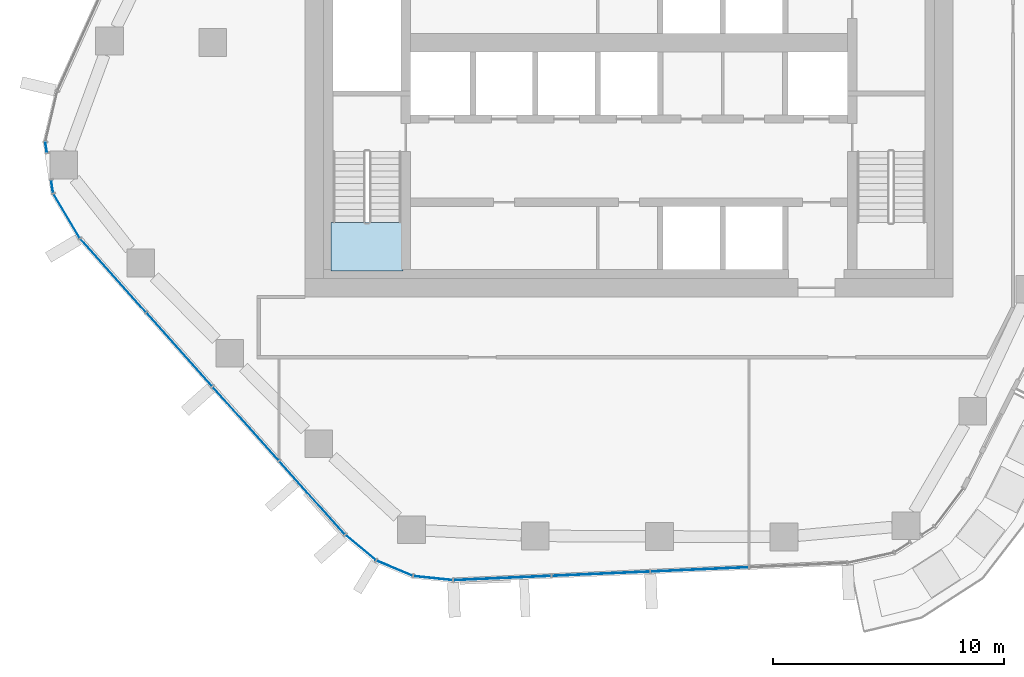
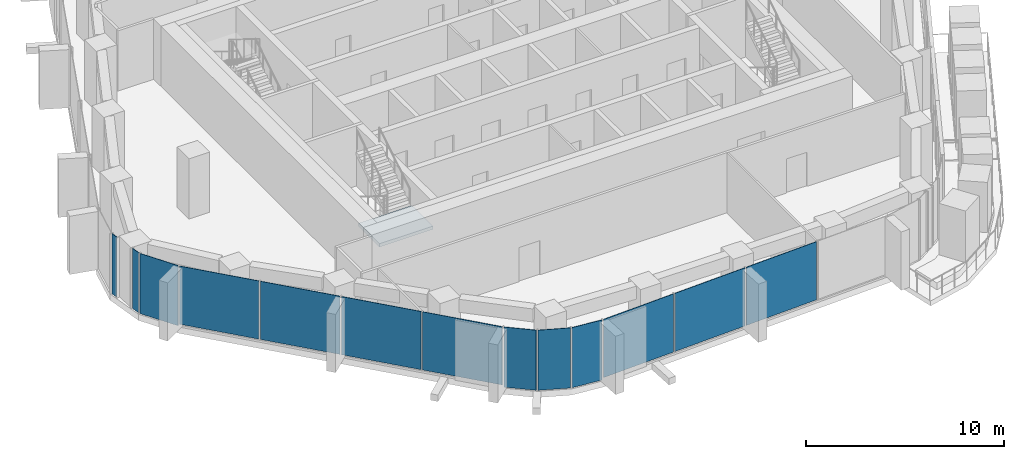
# One storey, part 7 of 17: 13 plates, 1 slab, 6 elements without a shape of their own.
"""IFC4 building model written with IfcOpenShell, lengths in metres."""

from ifc_helpers import new_model, si_unit, direction, frame, origin, origin_2d, place, context, subcontext, project, spatial, polyline, rectangle, outline, extrude, material, layer, layer_set, type_object, element, aggregate, save


model = new_model("IFC4")

# Units and contexts
model_context = context("Model", 3, precision=1e-05, world=origin(), true_north=direction((0.0, 1.0)))
body_context = subcontext(model_context, "Body", "Model", "MODEL_VIEW")
ifc_project = project(units=[si_unit("LENGTHUNIT", "METRE"), si_unit("AREAUNIT", "SQUARE_METRE"), si_unit("VOLUMEUNIT", "CUBIC_METRE"), si_unit("PLANEANGLEUNIT", "RADIAN"), si_unit("MASSUNIT", "GRAM", prefix="KILO")], contexts=[model_context])

# Site, building, storey
site_placement = place(None, origin())
site = spatial("IfcSite", under=ifc_project, at=site_placement, CompositionType="ELEMENT")
building_placement = place(site_placement, origin())
building = spatial("IfcBuilding", under=site, at=building_placement, Name="Dongbaek Canopy Tower", CompositionType="ELEMENT")
storey_placement = place(building_placement, frame((0.0, 0.0, 179.60009765625)))
storey = spatial("IfcBuildingStorey", under=building, at=storey_placement, Name="L39", CompositionType="ELEMENT", Elevation=179.60009765625)

# Curtain wall, plate
ifc_material_1 = material(Name="Aluminium 6063-T6 pale anodised", Category="aluminium")
ifc_layer_1 = layer(ifc_material_1, 0.199951171875)
ifc_layer_set_1 = layer_set([ifc_layer_1], Name="CW-1 unitised tower curtain wall")
curtain_wall_type = type_object("IfcCurtainWallType", Name="CW-1 unitised tower curtain wall", PredefinedType="NOTDEFINED", material=ifc_layer_set_1)
curtain_wall_1_placement = place(storey_placement, origin())
curtain_wall_1 = element("IfcCurtainWall", 1, at=curtain_wall_1_placement, inside=storey, type_object=curtain_wall_type, Name="CW-1 curtain wall K3.1a", PredefinedType="NOTDEFINED")
ifc_material_2 = material(Name="Clear laminated glass", Category="glass")
ifc_layer_2 = layer(ifc_material_2, 0.028076171875)
ifc_layer_set_2 = layer_set([ifc_layer_2], Name="CW-1 glazed panel 28")
plate_type = type_object("IfcPlateType", Name="CW-1 glazed panel 28", PredefinedType="CURTAIN_PANEL", material=ifc_layer_set_2)
plate_1_placement = place(storey_placement, frame((-25.19970703125, -4.52734375, 0.0), z_axis=(0.0, 0.0, 1.0), x_axis=(0.152013282979, -0.988378450695, 0.0)))
plate_1 = element("IfcPlate", 2, at=plate_1_placement, type_object=plate_type, Name="CW-1 panel K3.1a.2.1", PredefinedType="CURTAIN_PANEL", context=body_context, shape_type="SweptSolid", body=[
    extrude(rectangle(XDim=0.391845703125, YDim=0.028076171875, at=origin_2d()), origin(), (0.0, 0.0, 1.0), 3.699951171875),
])
aggregate(curtain_wall_1, [plate_1])

# Curtain wall, plates
curtain_wall_2_placement = place(storey_placement, origin())
curtain_wall_2 = element("IfcCurtainWall", 3, at=curtain_wall_2_placement, inside=storey, type_object=curtain_wall_type, Name="CW-1 curtain wall K3.1b", PredefinedType="NOTDEFINED")
plate_2_placement = place(storey_placement, frame((-24.939697265625, -6.218017578125, 0.0), z_axis=(0.0, 0.0, 1.0), x_axis=(0.152013282979, -0.988378450695, 0.0)))
plate_2 = element("IfcPlate", 4, at=plate_2_placement, type_object=plate_type, Name="CW-1 panel K3.1b.1.1", PredefinedType="CURTAIN_PANEL", context=body_context, shape_type="SweptSolid", body=[
    extrude(rectangle(XDim=0.531494140625, YDim=0.028076171875, at=origin_2d()), origin(), (0.0, 0.0, 1.0), 3.699951171875),
])
plate_3_placement = place(storey_placement, frame((-24.312744140625, -7.495361328125, 0.0), z_axis=(0.0, 0.0, 1.0), x_axis=(0.511989095209, -0.858991947801, 0.0)))
plate_3 = element("IfcPlate", 5, at=plate_3_placement, type_object=plate_type, Name="CW-1 panel K3.1b.2.1", PredefinedType="CURTAIN_PANEL", context=body_context, shape_type="SweptSolid", body=[
    extrude(rectangle(XDim=2.181884765625, YDim=0.028076171875, at=origin_2d()), origin(), (0.0, 0.0, 1.0), 3.699951171875),
])
aggregate(curtain_wall_2, [plate_2, plate_3])

curtain_wall_3_placement = place(storey_placement, origin())
curtain_wall_3 = element("IfcCurtainWall", 6, at=curtain_wall_3_placement, inside=storey, type_object=curtain_wall_type, Name="CW-1 curtain wall F3.1", PredefinedType="NOTDEFINED")
plate_4_placement = place(storey_placement, frame((-22.302001953125, -10.067626953125, 0.119873046875), z_axis=(0.0, 0.0, 1.0), x_axis=(0.666829217942, -0.745210570308, 0.0)))
plate_4 = element("IfcPlate", 7, at=plate_4_placement, type_object=plate_type, Name="CW-1 panel F3.1.1.1", PredefinedType="CURTAIN_PANEL", context=body_context, shape_type="SweptSolid", body=[
    extrude(rectangle(XDim=4.20703125, YDim=0.028076171875, at=origin_2d()), origin(), (0.0, 0.0, 1.0), 3.580078125),
])
plate_5_placement = place(storey_placement, frame((-19.437255859375, -13.26904296875, 0.119873046875), z_axis=(0.0, 0.0, 1.0), x_axis=(0.666829217942, -0.745210570308, 0.0)))
plate_5 = element("IfcPlate", 8, at=plate_5_placement, type_object=plate_type, Name="CW-1 panel F3.1.2.1", PredefinedType="CURTAIN_PANEL", context=body_context, shape_type="SweptSolid", body=[
    extrude(rectangle(XDim=4.216796875, YDim=0.028076171875, at=origin_2d()), origin(), (0.0, 0.0, 1.0), 3.580078125),
])
plate_6_placement = place(storey_placement, frame((-16.5693359375, -16.473876953125, 0.119873046875), z_axis=(0.0, 0.0, 1.0), x_axis=(0.666829217942, -0.745210570308, 0.0)))
plate_6 = element("IfcPlate", 9, at=plate_6_placement, type_object=plate_type, Name="CW-1 panel F3.1.3.1", PredefinedType="CURTAIN_PANEL", context=body_context, shape_type="SweptSolid", body=[
    extrude(rectangle(XDim=4.216796875, YDim=0.028076171875, at=origin_2d()), origin(), (0.0, 0.0, 1.0), 3.580078125),
])
plate_7_placement = place(storey_placement, frame((-13.703857421875, -19.67626953125, 0.119873046875), z_axis=(0.0, 0.0, 1.0), x_axis=(0.666829217942, -0.745210570308, 0.0)))
plate_7 = element("IfcPlate", 10, at=plate_7_placement, type_object=plate_type, Name="CW-1 panel F3.1.4.1", PredefinedType="CURTAIN_PANEL", context=body_context, shape_type="SweptSolid", body=[
    extrude(rectangle(XDim=4.20947265625, YDim=0.028076171875, at=origin_2d()), origin(), (0.0, 0.0, 1.0), 3.580078125),
])
aggregate(curtain_wall_3, [plate_4, plate_5, plate_6, plate_7])

curtain_wall_4_placement = place(storey_placement, origin())
curtain_wall_4 = element("IfcCurtainWall", 11, at=curtain_wall_4_placement, inside=storey, type_object=curtain_wall_type, Name="CW-1 curtain wall K4.1", PredefinedType="NOTDEFINED")
plate_8_placement = place(storey_placement, frame((-11.603271484375, -21.83203125, 0.0), z_axis=(0.0, 0.0, 1.0), x_axis=(0.769056160609, -0.639181212043, 0.0)))
plate_8 = element("IfcPlate", 12, at=plate_8_placement, type_object=plate_type, Name="CW-1 panel K4.1.1.1", PredefinedType="CURTAIN_PANEL", context=body_context, shape_type="SweptSolid", body=[
    extrude(rectangle(XDim=1.656494140625, YDim=0.028076171875, at=origin_2d()), origin(), (0.0, 0.0, 1.0), 3.699951171875),
])
plate_9_placement = place(storey_placement, frame((-10.135498046875, -22.724609375, 0.0), z_axis=(0.0, 0.0, 1.0), x_axis=(0.921605953712, -0.38812686854, 0.0)))
plate_9 = element("IfcPlate", 13, at=plate_9_placement, type_object=plate_type, Name="CW-1 panel K4.1.2.1", PredefinedType="CURTAIN_PANEL", context=body_context, shape_type="SweptSolid", body=[
    extrude(rectangle(XDim=1.64892578125, YDim=0.028076171875, at=origin_2d()), origin(), (0.0, 0.0, 1.0), 3.699951171875),
])
plate_10_placement = place(storey_placement, frame((-8.471435546875, -23.151123046875, 0.0), z_axis=(0.0, 0.0, 1.0), x_axis=(0.994621408509, -0.103577283883, 0.0)))
plate_10 = element("IfcPlate", 14, at=plate_10_placement, type_object=plate_type, Name="CW-1 panel K4.1.3.1", PredefinedType="CURTAIN_PANEL", context=body_context, shape_type="SweptSolid", body=[
    extrude(rectangle(XDim=1.656494140625, YDim=0.028076171875, at=origin_2d()), origin(), (0.0, 0.0, 1.0), 3.699951171875),
])
aggregate(curtain_wall_4, [plate_8, plate_9, plate_10])

curtain_wall_5_placement = place(storey_placement, origin())
curtain_wall_5 = element("IfcCurtainWall", 15, at=curtain_wall_5_placement, inside=storey, type_object=curtain_wall_type, Name="CW-1 curtain wall F4.1", PredefinedType="NOTDEFINED")
plate_11_placement = place(storey_placement, frame((-5.476806640625, -23.148193359375, 0.119873046875), z_axis=(0.0, 0.0, 1.0), x_axis=(0.999047313196, 0.043640187851, 0.0)))
plate_11 = element("IfcPlate", 16, at=plate_11_placement, type_object=plate_type, Name="CW-1 panel F4.1.1.1", PredefinedType="CURTAIN_PANEL", context=body_context, shape_type="SweptSolid", body=[
    extrude(rectangle(XDim=4.17822265625, YDim=0.028076171875, at=origin_2d()), origin(), (0.0, 0.0, 1.0), 3.580078125),
])
plate_12_placement = place(storey_placement, frame((-1.215087890625, -22.962158203125, 0.119873046875), z_axis=(0.0, 0.0, 1.0), x_axis=(0.999047313196, 0.043640187851, 0.0)))
plate_12 = element("IfcPlate", 17, at=plate_12_placement, type_object=plate_type, Name="CW-1 panel F4.1.2.1", PredefinedType="CURTAIN_PANEL", context=body_context, shape_type="SweptSolid", body=[
    extrude(rectangle(XDim=4.185546875, YDim=0.028076171875, at=origin_2d()), origin(), (0.0, 0.0, 1.0), 3.580078125),
])
plate_13_placement = place(storey_placement, frame((3.05029296875, -22.775634765625, 0.119873046875), z_axis=(0.0, 0.0, 1.0), x_axis=(0.999047313196, 0.043640187851, 0.0)))
plate_13 = element("IfcPlate", 18, at=plate_13_placement, type_object=plate_type, Name="CW-1 panel F4.1.3.1", PredefinedType="CURTAIN_PANEL", context=body_context, shape_type="SweptSolid", body=[
    extrude(rectangle(XDim=4.185546875, YDim=0.028076171875, at=origin_2d()), origin(), (0.0, 0.0, 1.0), 3.580078125),
])
aggregate(curtain_wall_5, [plate_11, plate_12, plate_13])

# Stair, slab
ifc_material_3 = material(Name="Concrete C40/50", Category="concrete")
stair_type = type_object("IfcStairType", Name="Core exit stair", PredefinedType="HALF_TURN_STAIR", material=ifc_material_3)
stair_placement = place(storey_placement, origin())
stair = element("IfcStair", 19, at=stair_placement, inside=storey, type_object=stair_type, Name="L39 exit stair D", PredefinedType="HALF_TURN_STAIR")
ifc_material_4 = material(Name="Concrete C40/50", Category="concrete")
ifc_layer_3 = layer(ifc_material_4, 0.199951171875)
ifc_layer_set_3 = layer_set([ifc_layer_3], Name="Core stair landing 200")
slab_type = type_object("IfcSlabType", Name="Core stair landing 200", PredefinedType="LANDING", material=ifc_layer_set_3)
slab_placement = place(storey_placement, frame((0.0, 0.0, 1.89990234375)))
slab = element("IfcSlab", 20, at=slab_placement, type_object=slab_type, Name="ST-D landing 1", PredefinedType="LANDING", context=body_context, shape_type="SweptSolid", body=[
    extrude(outline(polyline([(-12.875, -7.780029296875), (-12.875, -9.875), (-9.77490234375, -9.875), (-9.77490234375, -7.780029296875), (-12.875, -7.780029296875)])), origin(), (0.0, 0.0, 1.0), 0.199951171875),
])
aggregate(stair, [slab])

save(model, "model.ifc")
